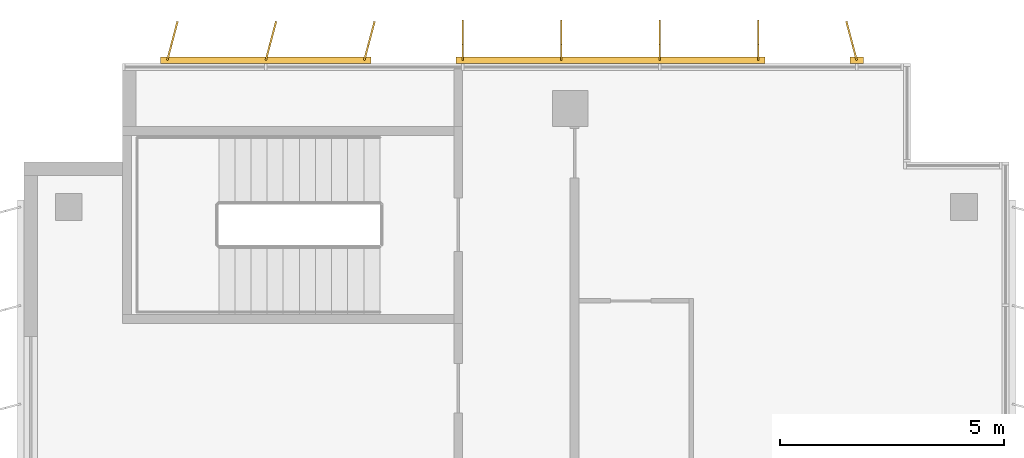
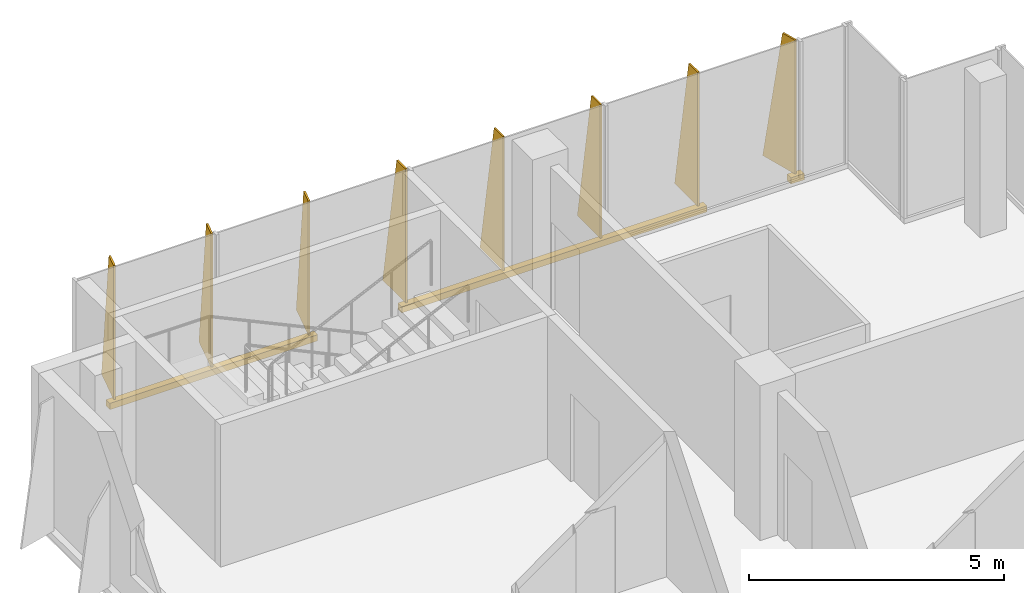
# One storey, part 15 of 15: 3 shading devices.
"""IFC4 building model written with IfcOpenShell, lengths in metres."""

from ifc_helpers import new_model, si_unit, direction, frame, origin, origin_2d, place, context, subcontext, project, spatial, polyline, rectangle, outline, extrude, source, transform, mapped, material, layer, layer_set, type_object, element, save


model = new_model("IFC4")

# Units and contexts
model_context = context("Model", 3, precision=1e-05, world=origin(), true_north=direction((0.0, 1.0)))
body_context = subcontext(model_context, "Body", "Model", "MODEL_VIEW")
ifc_project = project(units=[si_unit("LENGTHUNIT", "METRE"), si_unit("AREAUNIT", "SQUARE_METRE"), si_unit("VOLUMEUNIT", "CUBIC_METRE"), si_unit("PLANEANGLEUNIT", "RADIAN"), si_unit("MASSUNIT", "GRAM", prefix="KILO")], contexts=[model_context])

# Site, building, storey
site_placement = place(None, origin())
site = spatial("IfcSite", under=ifc_project, at=site_placement, CompositionType="ELEMENT")
building_placement = place(site_placement, origin())
building = spatial("IfcBuilding", under=site, at=building_placement, Name="Kemantara Hotel Tower", CompositionType="ELEMENT")
storey_placement = place(building_placement, frame((0.0, 0.0, 230.199951171875)))
storey = spatial("IfcBuildingStorey", under=building, at=storey_placement, Name="L57", CompositionType="ELEMENT", Elevation=230.199951171875)

# Shading devices
ifc_material = material(Name="Perforated aluminium plate 4 mm bronze anodised", Category="aluminium")
ifc_layer_1 = layer(ifc_material, 0.0400390625)
ifc_layer_set_1 = layer_set([ifc_layer_1], Name="Perforated aluminium plate 4 mm bronze anodised")
shading_device_type_1 = type_object("IfcShadingDeviceType", Name="SCREEN FIN CASSETTE, 3 BLADES AT -15.0 DEG, 3200 HIGH", PredefinedType="USERDEFINED", material=ifc_layer_set_1)
shared_shape_1 = source(origin(), body_context, "Body", "SweptSolid", [
    extrude(rectangle(XDim=4.699951171875, YDim=0.14990234375, at=origin_2d()), frame((2.199951171875, -0.074951171875, -0.14990234375), z_axis=(0.0, 0.0, 1.0), x_axis=(1.0, 0.0, 0.0)), (0.0, 0.0, 1.0), 0.14990234375),
    extrude(outline(polyline([(0.0, 0.0), (0.89990234375, 0.0), (0.35009765625, 3.199951171875), (0.0, 3.199951171875), (0.0, 0.0)])), frame((0.019287109375, -0.080078125, 0.0), z_axis=(-0.966437683387, 0.256901156343, 0.0), x_axis=(-0.256901156343, -0.966437683387, 0.0)), (0.0, 0.0, 1.0), 0.039794921875),
    extrude(outline(polyline([(0.0, 0.0), (0.89990234375, 0.0), (0.35009765625, 3.199951171875), (0.0, 3.199951171875), (0.0, 0.0)])), frame((2.21923828125, -0.080078125, 0.0), z_axis=(-0.966437683387, 0.256901156343, 0.0), x_axis=(-0.256901156343, -0.966437683387, 0.0)), (0.0, 0.0, 1.0), 0.039794921875),
    extrude(outline(polyline([(0.0, 0.0), (0.89990234375, 0.0), (0.35009765625, 3.199951171875), (0.0, 3.199951171875), (0.0, 0.0)])), frame((4.41943359375, -0.080078125, 0.0), z_axis=(-0.966837822169, 0.255391122837, 0.0), x_axis=(-0.255391122837, -0.966837822169, 0.0)), (0.0, 0.0, 1.0), 0.0400390625),
])
shading_device_1_placement = place(storey_placement, frame((7.60009765625, 63.60009765625, 0.10009765625), z_axis=(0.0, 0.0, 1.0), x_axis=(-1.0, 0.0, 0.0)))
element("IfcShadingDevice", 1, at=shading_device_1_placement, inside=storey, type_object=shading_device_type_1, Name="SCREEN FIN CASSETTE L57 T4-R02-3", ObjectType="SCREEN FIN", PredefinedType="USERDEFINED", context=body_context, shape_type="MappedRepresentation", body=[
    mapped(shared_shape_1, transform((0.0, 0.0, 0.0))),
])
ifc_layer_2 = layer(ifc_material, 0.0400390625)
ifc_layer_set_2 = layer_set([ifc_layer_2], Name="Perforated aluminium plate 4 mm bronze anodised")
shading_device_type_2 = type_object("IfcShadingDeviceType", Name="SCREEN FIN CASSETTE, 4 BLADES AT +0.0 DEG, 3200 HIGH", PredefinedType="USERDEFINED", material=ifc_layer_set_2)
shared_shape_2 = source(origin(), body_context, "Body", "SweptSolid", [
    extrude(rectangle(XDim=6.89990234375, YDim=0.14990234375, at=origin_2d()), frame((3.300048828125, -0.074951171875, -0.14990234375), z_axis=(0.0, 0.0, 1.0), x_axis=(1.0, 0.0, 0.0)), (0.0, 0.0, 1.0), 0.14990234375),
    extrude(outline(polyline([(0.0, 0.0), (0.89990234375, 0.0), (0.35009765625, 3.199951171875), (0.0, 3.199951171875), (0.0, 0.0)])), frame((0.02001953125, -0.074951171875, 0.0), z_axis=(-1.0, 0.0, 0.0), x_axis=(0.0, -1.0, 0.0)), (0.0, 0.0, 1.0), 0.0400390625),
    extrude(outline(polyline([(0.0, 0.0), (0.89990234375, 0.0), (0.35009765625, 3.199951171875), (0.0, 3.199951171875), (0.0, 0.0)])), frame((2.219970703125, -0.074951171875, 0.0), z_axis=(-1.0, 0.0, 0.0), x_axis=(0.0, -1.0, 0.0)), (0.0, 0.0, 1.0), 0.0400390625),
    extrude(outline(polyline([(0.0, 0.0), (0.89990234375, 0.0), (0.35009765625, 3.199951171875), (0.0, 3.199951171875), (0.0, 0.0)])), frame((4.419921875, -0.074951171875, 0.0), z_axis=(-1.0, 0.0, 0.0), x_axis=(0.0, -1.0, 0.0)), (0.0, 0.0, 1.0), 0.0400390625),
    extrude(outline(polyline([(0.0, 0.0), (0.89990234375, 0.0), (0.35009765625, 3.199951171875), (0.0, 3.199951171875), (0.0, 0.0)])), frame((6.6201171875, -0.074951171875, 0.0), z_axis=(-1.0, 0.0, 0.0), x_axis=(0.0, -1.0, 0.0)), (0.0, 0.0, 1.0), 0.0400390625),
])
shading_device_2_placement = place(storey_placement, frame((16.39990234375, 63.60009765625, 0.10009765625), z_axis=(0.0, 0.0, 1.0), x_axis=(-1.0, 0.0, 0.0)))
element("IfcShadingDevice", 2, at=shading_device_2_placement, inside=storey, type_object=shading_device_type_2, Name="SCREEN FIN CASSETTE L57 T4-R02-2", ObjectType="SCREEN FIN", PredefinedType="USERDEFINED", context=body_context, shape_type="MappedRepresentation", body=[
    mapped(shared_shape_2, transform((0.0, 0.0, 0.0))),
])
ifc_layer_3 = layer(ifc_material, 0.0400390625)
ifc_layer_set_3 = layer_set([ifc_layer_3], Name="Perforated aluminium plate 4 mm bronze anodised")
shading_device_type_3 = type_object("IfcShadingDeviceType", Name="SCREEN FIN CASSETTE, 1 BLADE AT +15.0 DEG, 3200 HIGH", PredefinedType="USERDEFINED", material=ifc_layer_set_3)
shared_shape_3 = source(origin(), body_context, "Body", "SweptSolid", [
    extrude(rectangle(XDim=0.300048828125, YDim=0.14990234375, at=origin_2d()), frame((0.0, -0.074951171875, -0.14990234375), z_axis=(0.0, 0.0, 1.0), x_axis=(1.0, 0.0, 0.0)), (0.0, 0.0, 1.0), 0.14990234375),
    extrude(outline(polyline([(0.0, 0.0), (0.89990234375, 0.0), (0.35009765625, 3.199951171875), (0.0, 3.199951171875), (0.0, 0.0)])), frame((0.019287109375, -0.06982421875, 0.0), z_axis=(-0.966437683387, -0.256901156343, 0.0), x_axis=(0.256901156343, -0.966437683387, 0.0)), (0.0, 0.0, 1.0), 0.039794921875),
])
shading_device_3_placement = place(storey_placement, frame((18.60009765625, 63.60009765625, 0.10009765625), z_axis=(0.0, 0.0, 1.0), x_axis=(-1.0, 0.0, 0.0)))
element("IfcShadingDevice", 3, at=shading_device_3_placement, inside=storey, type_object=shading_device_type_3, Name="SCREEN FIN CASSETTE L57 T4-R02-1", ObjectType="SCREEN FIN", PredefinedType="USERDEFINED", context=body_context, shape_type="MappedRepresentation", body=[
    mapped(shared_shape_3, transform((0.0, 0.0, 0.0))),
])

save(model, "model.ifc")
